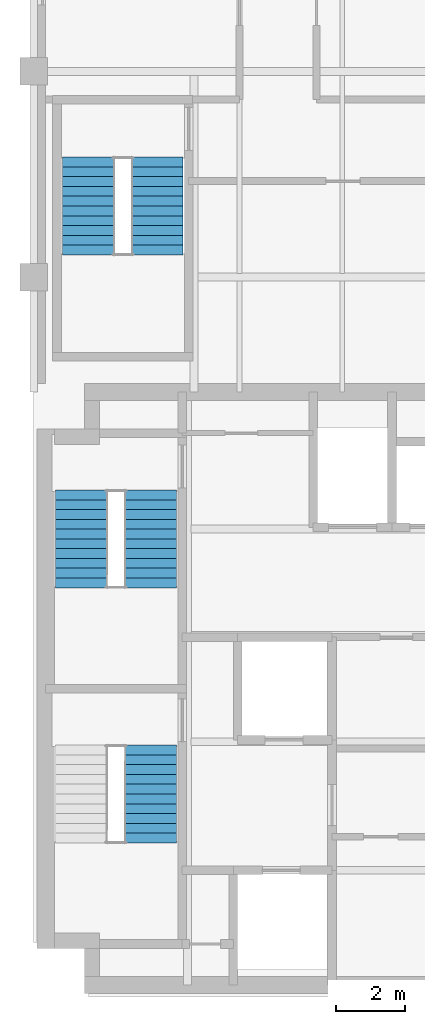
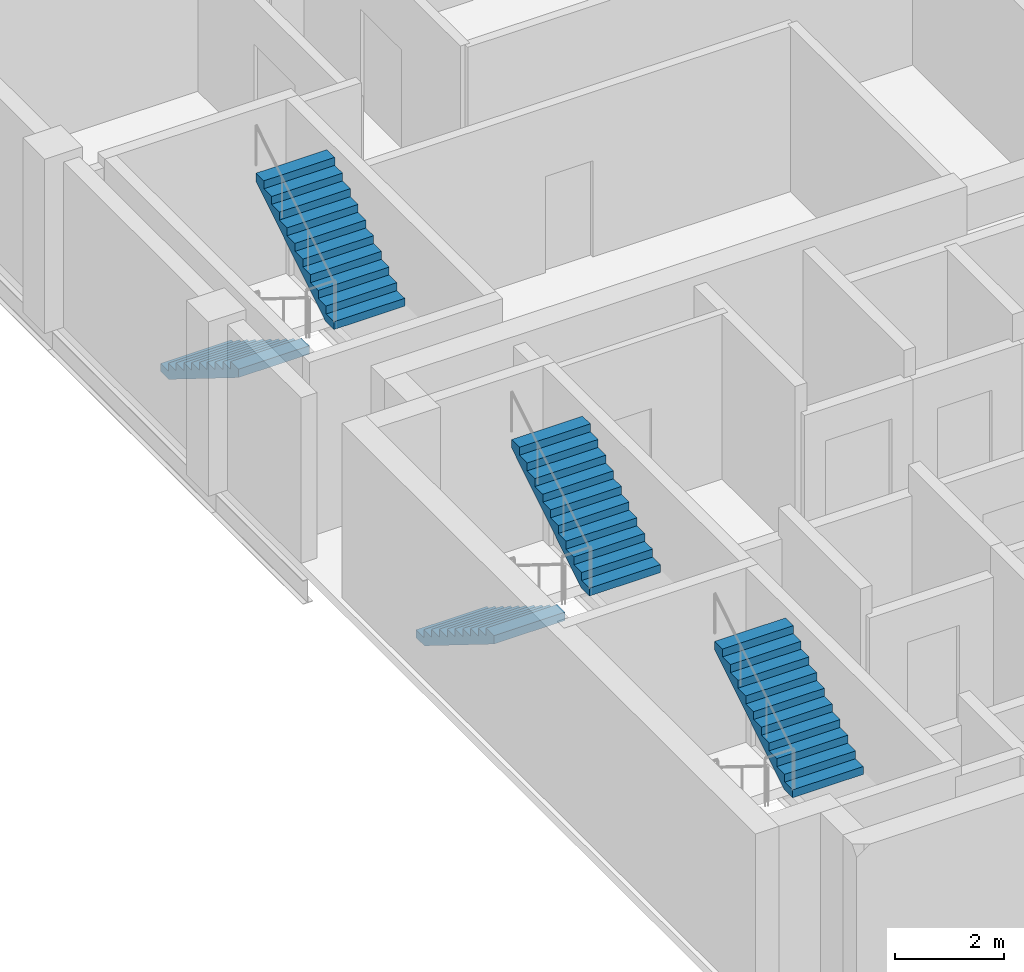
# One storey, part 5 of 6: 5 stair flights, 3 elements without a shape of their own.
"""IFC4 building model written with IfcOpenShell, lengths in metres."""

from ifc_helpers import new_model, si_unit, direction, frame, origin, place, context, subcontext, project, spatial, polyline, outline, extrude, material, type_object, element, aggregate, save


model = new_model("IFC4")

# Units and contexts
model_context = context("Model", 3, precision=1e-05, world=origin(), true_north=direction((0.0, 1.0)))
body_context = subcontext(model_context, "Body", "Model", "MODEL_VIEW")
ifc_project = project(units=[si_unit("LENGTHUNIT", "METRE"), si_unit("AREAUNIT", "SQUARE_METRE"), si_unit("VOLUMEUNIT", "CUBIC_METRE"), si_unit("PLANEANGLEUNIT", "RADIAN"), si_unit("MASSUNIT", "GRAM", prefix="KILO")], contexts=[model_context])

# Site, building, storey
site_placement = place(None, origin())
site = spatial("IfcSite", under=ifc_project, at=site_placement, CompositionType="ELEMENT")
building_placement = place(site_placement, origin())
building = spatial("IfcBuilding", under=site, at=building_placement, Name="Mawjdan Bourse Tower", CompositionType="ELEMENT")
storey_placement = place(building_placement, frame((0.0, 0.0, 246.89990234375)))
storey = spatial("IfcBuildingStorey", under=building, at=storey_placement, Name="L60", CompositionType="ELEMENT", Elevation=246.89990234375)

# Stair, stair flight
ifc_material = material(Name="Concrete C50/60", Category="concrete")
stair_type = type_object("IfcStairType", Name="STR-CORE-1500", PredefinedType="HALF_TURN_STAIR", material=ifc_material)
stair_1_placement = place(storey_placement, origin())
stair_1 = element("IfcStair", 1, at=stair_1_placement, inside=storey, type_object=stair_type, Name="L60 Exit Stair 1 (Core South-West)", PredefinedType="HALF_TURN_STAIR")
stair_flight_type = type_object("IfcStairFlightType", Name="SFL-RC-1500", PredefinedType="STRAIGHT", material=ifc_material)
stair_flight_1_placement = place(storey_placement, frame((9.409912109375, 7.5, 1.9501953125), z_axis=(0.0, 0.0, 1.0), x_axis=(0.0, 1.0, 0.0)))
stair_flight_1 = element("IfcStairFlight", 2, at=stair_flight_1_placement, type_object=stair_flight_type, Name="ST1-L60 flight 2", NumberOfRisers=11, NumberOfTreads=10, PredefinedType="STRAIGHT", RiserHeight=0.177273, TreadLength=0.285, context=body_context, shape_type="SweptSolid", body=[
    extrude(outline(polyline([(0.0, 0.0), (0.0, 0.17724609375), (0.284912109375, 0.17724609375), (0.284912109375, 0.3544921875), (0.570068359375, 0.3544921875), (0.570068359375, 0.53173828125), (0.85498046875, 0.53173828125), (0.85498046875, 0.708984375), (1.139892578125, 0.708984375), (1.139892578125, 0.886474609375), (1.425048828125, 0.886474609375), (1.425048828125, 1.063720703125), (1.7099609375, 1.063720703125), (1.7099609375, 1.240966796875), (1.9951171875, 1.240966796875), (1.9951171875, 1.418212890625), (2.280029296875, 1.418212890625), (2.280029296875, 1.595458984375), (2.56494140625, 1.595458984375), (2.56494140625, 1.772705078125), (2.85009765625, 1.772705078125), (2.85009765625, 1.949951171875), (2.85009765625, 1.58447265625), (0.302734375, 0.0), (0.0, 0.0)])), frame((0.0, 0.75, 0.0), z_axis=(0.0, -1.0, 0.0), x_axis=(1.0, 0.0, 0.0)), (0.0, 0.0, 1.0), 1.5),
])
aggregate(stair_1, [stair_flight_1])

# Stair, stair flights
stair_2_placement = place(storey_placement, origin())
stair_2 = element("IfcStair", 3, at=stair_2_placement, inside=storey, type_object=stair_type, Name="L60 Exit Stair 2 (Core North-West)", PredefinedType="HALF_TURN_STAIR")
stair_flight_2_placement = place(storey_placement, frame((7.389892578125, 17.7900390625, 0.0), z_axis=(0.0, 0.0, 1.0), x_axis=(0.0, -1.0, 0.0)))
stair_flight_2 = element("IfcStairFlight", 4, at=stair_flight_2_placement, type_object=stair_flight_type, Name="ST2-L60 flight 1", NumberOfRisers=11, NumberOfTreads=10, PredefinedType="STRAIGHT", RiserHeight=0.177273, TreadLength=0.285, context=body_context, shape_type="SweptSolid", body=[
    extrude(outline(polyline([(0.0, 0.0), (0.0, 0.17724609375), (0.284912109375, 0.17724609375), (0.284912109375, 0.3544921875), (0.570068359375, 0.3544921875), (0.570068359375, 0.53173828125), (0.85498046875, 0.53173828125), (0.85498046875, 0.708984375), (1.139892578125, 0.708984375), (1.139892578125, 0.886474609375), (1.425048828125, 0.886474609375), (1.425048828125, 1.063720703125), (1.7099609375, 1.063720703125), (1.7099609375, 1.240966796875), (1.9951171875, 1.240966796875), (1.9951171875, 1.418212890625), (2.280029296875, 1.418212890625), (2.280029296875, 1.595458984375), (2.56494140625, 1.595458984375), (2.56494140625, 1.772705078125), (2.85009765625, 1.772705078125), (2.85009765625, 1.949951171875), (2.85009765625, 1.58447265625), (0.302734375, 0.0), (0.0, 0.0)])), frame((0.0, 0.75, 0.0), z_axis=(0.0, -1.0, 0.0), x_axis=(1.0, 0.0, 0.0)), (0.0, 0.0, 1.0), 1.5),
])
stair_flight_3_placement = place(storey_placement, frame((9.409912109375, 14.93994140625, 1.9501953125), z_axis=(0.0, 0.0, 1.0), x_axis=(0.0, 1.0, 0.0)))
stair_flight_3 = element("IfcStairFlight", 5, at=stair_flight_3_placement, type_object=stair_flight_type, Name="ST2-L60 flight 2", NumberOfRisers=11, NumberOfTreads=10, PredefinedType="STRAIGHT", RiserHeight=0.177273, TreadLength=0.285, context=body_context, shape_type="SweptSolid", body=[
    extrude(outline(polyline([(0.0, 0.0), (0.0, 0.17724609375), (0.284912109375, 0.17724609375), (0.284912109375, 0.3544921875), (0.570068359375, 0.3544921875), (0.570068359375, 0.53173828125), (0.85498046875, 0.53173828125), (0.85498046875, 0.708984375), (1.139892578125, 0.708984375), (1.139892578125, 0.886474609375), (1.425048828125, 0.886474609375), (1.425048828125, 1.063720703125), (1.7099609375, 1.063720703125), (1.7099609375, 1.240966796875), (1.9951171875, 1.240966796875), (1.9951171875, 1.418212890625), (2.280029296875, 1.418212890625), (2.280029296875, 1.595458984375), (2.56494140625, 1.595458984375), (2.56494140625, 1.772705078125), (2.85009765625, 1.772705078125), (2.85009765625, 1.949951171875), (2.85009765625, 1.58447265625), (0.302734375, 0.0), (0.0, 0.0)])), frame((0.0, 0.75, 0.0), z_axis=(0.0, -1.0, 0.0), x_axis=(1.0, 0.0, 0.0)), (0.0, 0.0, 1.0), 1.5),
])
aggregate(stair_2, [stair_flight_2, stair_flight_3])

stair_3_placement = place(storey_placement, origin())
stair_3 = element("IfcStair", 6, at=stair_3_placement, inside=storey, type_object=stair_type, Name="L60 Exit Stair 3 (North Wing)", PredefinedType="HALF_TURN_STAIR")
stair_flight_4_placement = place(storey_placement, frame((7.590087890625, 27.5, 0.0), z_axis=(0.0, 0.0, 1.0), x_axis=(0.0, -1.0, 0.0)))
stair_flight_4 = element("IfcStairFlight", 7, at=stair_flight_4_placement, type_object=stair_flight_type, Name="ST3-L60 flight 1", NumberOfRisers=11, NumberOfTreads=10, PredefinedType="STRAIGHT", RiserHeight=0.177273, TreadLength=0.285, context=body_context, shape_type="SweptSolid", body=[
    extrude(outline(polyline([(0.0, 0.0), (0.0, 0.17724609375), (0.284912109375, 0.17724609375), (0.284912109375, 0.3544921875), (0.570068359375, 0.3544921875), (0.570068359375, 0.53173828125), (0.85498046875, 0.53173828125), (0.85498046875, 0.708984375), (1.139892578125, 0.708984375), (1.139892578125, 0.886474609375), (1.425048828125, 0.886474609375), (1.425048828125, 1.063720703125), (1.7099609375, 1.063720703125), (1.7099609375, 1.240966796875), (1.9951171875, 1.240966796875), (1.9951171875, 1.418212890625), (2.280029296875, 1.418212890625), (2.280029296875, 1.595458984375), (2.56494140625, 1.595458984375), (2.56494140625, 1.772705078125), (2.85009765625, 1.772705078125), (2.85009765625, 1.949951171875), (2.85009765625, 1.58447265625), (0.302734375, 0.0), (0.0, 0.0)])), frame((0.0, 0.75, 0.0), z_axis=(0.0, -1.0, 0.0), x_axis=(1.0, 0.0, 0.0)), (0.0, 0.0, 1.0), 1.5),
])
stair_flight_5_placement = place(storey_placement, frame((9.610107421875, 24.64990234375, 1.9501953125), z_axis=(0.0, 0.0, 1.0), x_axis=(0.0, 1.0, 0.0)))
stair_flight_5 = element("IfcStairFlight", 8, at=stair_flight_5_placement, type_object=stair_flight_type, Name="ST3-L60 flight 2", NumberOfRisers=11, NumberOfTreads=10, PredefinedType="STRAIGHT", RiserHeight=0.177273, TreadLength=0.285, context=body_context, shape_type="SweptSolid", body=[
    extrude(outline(polyline([(0.0, 0.0), (0.0, 0.17724609375), (0.284912109375, 0.17724609375), (0.284912109375, 0.3544921875), (0.570068359375, 0.3544921875), (0.570068359375, 0.53173828125), (0.85498046875, 0.53173828125), (0.85498046875, 0.708984375), (1.139892578125, 0.708984375), (1.139892578125, 0.886474609375), (1.425048828125, 0.886474609375), (1.425048828125, 1.063720703125), (1.7099609375, 1.063720703125), (1.7099609375, 1.240966796875), (1.9951171875, 1.240966796875), (1.9951171875, 1.418212890625), (2.280029296875, 1.418212890625), (2.280029296875, 1.595458984375), (2.56494140625, 1.595458984375), (2.56494140625, 1.772705078125), (2.85009765625, 1.772705078125), (2.85009765625, 1.949951171875), (2.85009765625, 1.58447265625), (0.302734375, 0.0), (0.0, 0.0)])), frame((0.0, 0.75, 0.0), z_axis=(0.0, -1.0, 0.0), x_axis=(1.0, 0.0, 0.0)), (0.0, 0.0, 1.0), 1.5),
])
aggregate(stair_3, [stair_flight_4, stair_flight_5])

save(model, "model.ifc")
